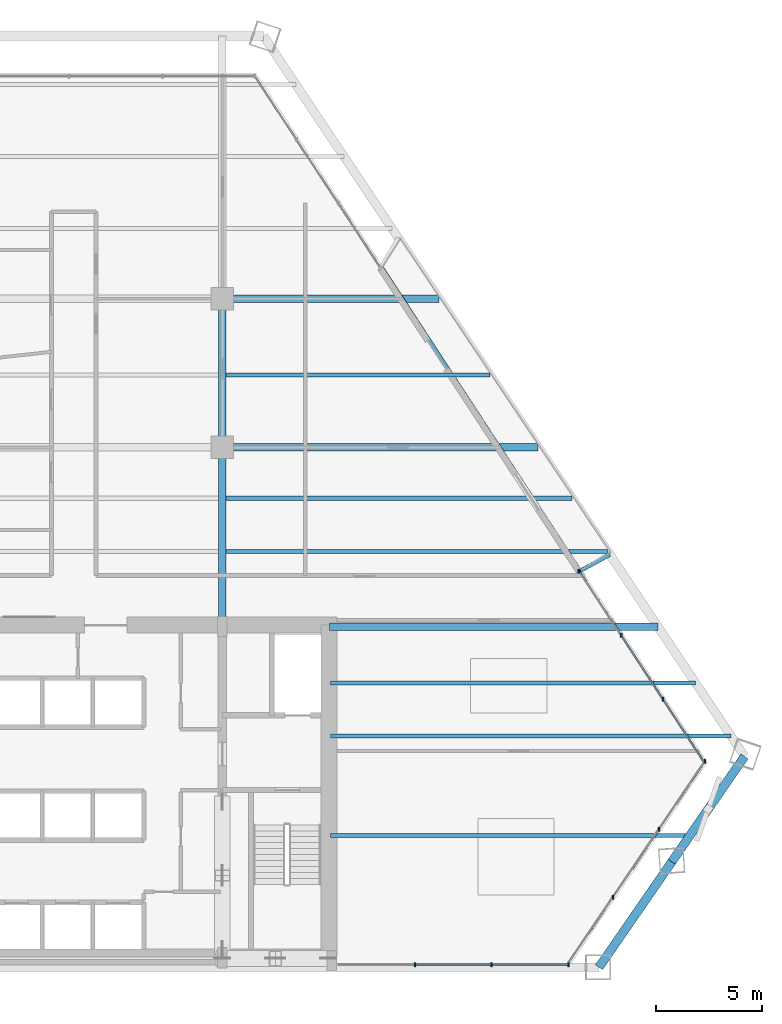
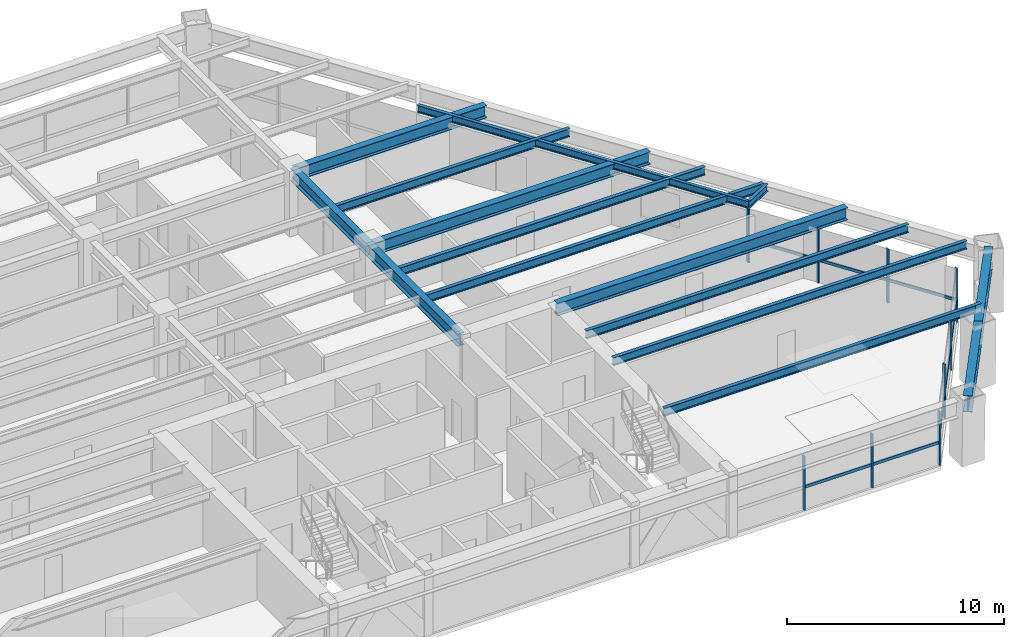
# One storey, part 6 of 14: 18 members, 15 beams, 3 elements without a shape of their own.
"""IFC4 building model written with IfcOpenShell, lengths in metres."""

from ifc_helpers import new_model, si_unit, direction, frame, origin, origin_2d, place, context, subcontext, project, spatial, rectangle, i_section, extrude, source, transform, mapped, material, material_profile, profile_set, type_object, type_shapes, element, aggregate, save


model = new_model("IFC4")

# Units and contexts
model_context = context("Model", 3, precision=1e-05, world=origin(), true_north=direction((0.0, 1.0)))
body_context = subcontext(model_context, "Body", "Model", "MODEL_VIEW")
ifc_project = project(units=[si_unit("LENGTHUNIT", "METRE"), si_unit("AREAUNIT", "SQUARE_METRE"), si_unit("VOLUMEUNIT", "CUBIC_METRE"), si_unit("PLANEANGLEUNIT", "RADIAN"), si_unit("MASSUNIT", "GRAM", prefix="KILO")], contexts=[model_context])

# Site, building, storey
site_placement = place(None, origin())
site = spatial("IfcSite", under=ifc_project, at=site_placement, CompositionType="ELEMENT")
building_placement = place(site_placement, origin())
building = spatial("IfcBuilding", under=site, at=building_placement, Name="Varnakhor Terracotta Tower", CompositionType="ELEMENT")
storey_placement = place(building_placement, frame((0.0, 0.0, 76.60009765625)))
storey = spatial("IfcBuildingStorey", under=building, at=storey_placement, Name="L18", CompositionType="ELEMENT", Elevation=76.60009765625)

# Beams
ifc_material_1 = material(Name="Steel S355", Category="steel")
ifc_material_profile_1 = material_profile(ifc_material_1, i_section(OverallWidth=0.35498046875, OverallDepth=0.695068359375, WebThickness=0.014892578125, FlangeThickness=0.02490234375, FilletRadius=0.01806640625, at=origin_2d()), Name="W27X146")
ifc_profile_set_1 = profile_set([ifc_material_profile_1], Name="Steel S355")
beam_type_1 = type_object("IfcBeamType", Name="BM-W27X146", PredefinedType="BEAM", material=ifc_profile_set_1)
shared_shape_1 = source(origin(), body_context, "Body", "SweptSolid", [
    extrude(i_section(OverallWidth=0.35498046875, OverallDepth=0.695068359375, WebThickness=0.014892578125, FlangeThickness=0.02490234375, FilletRadius=0.01806640625, at=origin_2d()), origin(), (0.0, 0.0, 1.0), 8.449951171875),
])
type_shapes(beam_type_1, [shared_shape_1])
beam_1_placement = place(storey_placement, frame((5.5, 16.050048828125, 3.102294921875), z_axis=(0.0, 1.0, 0.0), x_axis=(-1.0, 0.0, 0.0)))
element("IfcBeam", 1, at=beam_1_placement, inside=storey, type_object=beam_type_1, Name="L18 Primary Girder NS1-E", PredefinedType="BEAM", context=body_context, shape_type="MappedRepresentation", body=[
    mapped(shared_shape_1, transform((0.0, 0.0, 0.0), scale=1.0)),
])
shared_shape_2 = source(origin(), body_context, "Body", "SweptSolid", [
    extrude(i_section(OverallWidth=0.35498046875, OverallDepth=0.695068359375, WebThickness=0.014892578125, FlangeThickness=0.02490234375, FilletRadius=0.01806640625, at=origin_2d()), origin(), (0.0, 0.0, 1.0), 7.0),
])
beam_2_placement = place(storey_placement, frame((5.5, 24.5, 3.102294921875), z_axis=(0.0, 1.0, 0.0), x_axis=(-1.0, 0.0, 0.0)))
element("IfcBeam", 2, at=beam_2_placement, inside=storey, type_object=beam_type_1, Name="L18 Primary Girder NS2-E", PredefinedType="BEAM", context=body_context, shape_type="MappedRepresentation", body=[
    mapped(shared_shape_2, transform((0.0, 0.0, 0.0), scale=1.0)),
])
ifc_material_profile_2 = material_profile(ifc_material_1, i_section(OverallWidth=0.41796875, OverallDepth=0.927001953125, WebThickness=0.01904296875, FlangeThickness=0.031982421875, FilletRadius=0.01806640625, at=origin_2d()), Name="W36X231")
ifc_profile_set_2 = profile_set([ifc_material_profile_2], Name="Steel S355")
beam_type_2 = type_object("IfcBeamType", Name="BM-W36X231", PredefinedType="BEAM", material=ifc_profile_set_2)
shared_shape_3 = source(origin(), body_context, "Body", "SweptSolid", [
    extrude(i_section(OverallWidth=0.41796875, OverallDepth=0.927001953125, WebThickness=0.01904296875, FlangeThickness=0.031982421875, FilletRadius=0.01806640625, at=origin_2d()), origin(), (0.0, 0.0, 1.0), 6.0380859375),
])
beam_3_placement = place(storey_placement, frame((23.2490234375, 0.0, 2.986328125), z_axis=(0.568175071214, 0.822907703483, 0.0), x_axis=(-0.822907703483, 0.568175071214, 0.0)))
element("IfcBeam", 3, at=beam_3_placement, inside=storey, type_object=beam_type_2, Name="L18 Perimeter Spandrel 2", PredefinedType="BEAM", context=body_context, shape_type="MappedRepresentation", body=[
    mapped(shared_shape_3, transform((0.0, 0.0, 0.0), scale=1.0)),
])
shared_shape_4 = source(origin(), body_context, "Body", "SweptSolid", [
    extrude(i_section(OverallWidth=0.41796875, OverallDepth=0.927001953125, WebThickness=0.01904296875, FlangeThickness=0.031982421875, FilletRadius=0.01806640625, at=origin_2d()), origin(), (0.0, 0.0, 1.0), 6.037841796875),
])
beam_4_placement = place(storey_placement, frame((26.6796875, 4.96875, 2.986328125), z_axis=(0.56814768946, 0.82292660849, 0.0), x_axis=(-0.82292660849, 0.56814768946, 0.0)))
element("IfcBeam", 4, at=beam_4_placement, inside=storey, type_object=beam_type_2, Name="L18 Perimeter Spandrel 3", PredefinedType="BEAM", context=body_context, shape_type="MappedRepresentation", body=[
    mapped(shared_shape_4, transform((0.0, 0.0, 0.0), scale=1.0)),
])
ifc_material_profile_3 = material_profile(ifc_material_1, i_section(OverallWidth=0.179931640625, OverallDepth=0.39990234375, WebThickness=0.008544921875, FlangeThickness=0.013427734375, FilletRadius=0.01806640625, at=origin_2d()), Name="IPE400")
ifc_profile_set_3 = profile_set([ifc_material_profile_3], Name="Steel S355")
beam_type_3 = type_object("IfcBeamType", Name="JST-IPE400", PredefinedType="JOIST", material=ifc_profile_set_3)
shared_shape_5 = source(origin(), body_context, "Body", "SweptSolid", [
    extrude(i_section(OverallWidth=0.179931640625, OverallDepth=0.39990234375, WebThickness=0.008544921875, FlangeThickness=0.013427734375, FilletRadius=0.01806640625, at=origin_2d()), origin(), (0.0, 0.0, 1.0), 17.12646484375),
])
beam_5_placement = place(storey_placement, frame((22.35400390625, 18.6669921875, 3.25), z_axis=(-0.546869455486, 0.837217891983, 0.0), x_axis=(-0.837217891983, -0.546869455486, 0.0)))
element("IfcBeam", 5, at=beam_5_placement, inside=storey, type_object=beam_type_3, Name="L18 Loggia Edge Beam 1", PredefinedType="JOIST", context=body_context, shape_type="MappedRepresentation", body=[
    mapped(shared_shape_5, transform((0.0, 0.0, 0.0), scale=1.0)),
])
shared_shape_6 = source(origin(), body_context, "Body", "SweptSolid", [
    extrude(i_section(OverallWidth=0.35498046875, OverallDepth=0.695068359375, WebThickness=0.014892578125, FlangeThickness=0.02490234375, FilletRadius=0.01806640625, at=origin_2d()), origin(), (0.0, 0.0, 1.0), 15.4775390625),
])
beam_6_placement = place(storey_placement, frame((10.550048828125, 16.050048828125, 3.102294921875), z_axis=(1.0, 0.0, 0.0), x_axis=(0.0, 1.0, 0.0)))
element("IfcBeam", 6, at=beam_6_placement, inside=storey, type_object=beam_type_1, Name="L18 Wing Girder E", PredefinedType="BEAM", context=body_context, shape_type="MappedRepresentation", body=[
    mapped(shared_shape_6, transform((0.0, 0.0, 0.0), scale=1.0)),
])
shared_shape_7 = source(origin(), body_context, "Body", "SweptSolid", [
    extrude(i_section(OverallWidth=0.35498046875, OverallDepth=0.695068359375, WebThickness=0.014892578125, FlangeThickness=0.02490234375, FilletRadius=0.01806640625, at=origin_2d()), origin(), (0.0, 0.0, 1.0), 14.883544921875),
])
beam_7_placement = place(storey_placement, frame((5.5, 24.5, 3.102294921875), z_axis=(1.0, 0.0, 0.0), x_axis=(0.0, 1.0, 0.0)))
element("IfcBeam", 7, at=beam_7_placement, inside=storey, type_object=beam_type_1, Name="L18 Primary Girder EW2-3", PredefinedType="BEAM", context=body_context, shape_type="MappedRepresentation", body=[
    mapped(shared_shape_7, transform((0.0, 0.0, 0.0), scale=1.0)),
])
shared_shape_8 = source(origin(), body_context, "Body", "SweptSolid", [
    extrude(i_section(OverallWidth=0.35498046875, OverallDepth=0.695068359375, WebThickness=0.014892578125, FlangeThickness=0.02490234375, FilletRadius=0.01806640625, at=origin_2d()), origin(), (0.0, 0.0, 1.0), 10.208251953125),
])
beam_8_placement = place(storey_placement, frame((5.5, 31.5, 3.102294921875), z_axis=(1.0, 0.0, 0.0), x_axis=(0.0, 1.0, 0.0)))
element("IfcBeam", 8, at=beam_8_placement, inside=storey, type_object=beam_type_1, Name="L18 Primary Girder EW3-3", PredefinedType="BEAM", context=body_context, shape_type="MappedRepresentation", body=[
    mapped(shared_shape_8, transform((0.0, 0.0, 0.0), scale=1.0)),
])
ifc_material_profile_4 = material_profile(ifc_material_1, i_section(OverallWidth=0.19189453125, OverallDepth=0.462890625, WebThickness=0.010498046875, FlangeThickness=0.017578125, FilletRadius=0.01806640625, at=origin_2d()), Name="W18X60")
ifc_profile_set_4 = profile_set([ifc_material_profile_4], Name="Steel S355")
beam_type_4 = type_object("IfcBeamType", Name="JST-W18X60", PredefinedType="JOIST", material=ifc_profile_set_4)
shared_shape_9 = source(origin(), body_context, "Body", "SweptSolid", [
    extrude(i_section(OverallWidth=0.19189453125, OverallDepth=0.462890625, WebThickness=0.010498046875, FlangeThickness=0.017578125, FilletRadius=0.01806640625, at=origin_2d()), origin(), (0.0, 0.0, 1.0), 16.9296875),
])
beam_9_placement = place(storey_placement, frame((10.60009765625, 6.199951171875, 3.218505859375), z_axis=(1.0, 0.0, 0.0), x_axis=(0.0, 1.0, 0.0)))
element("IfcBeam", 9, at=beam_9_placement, inside=storey, type_object=beam_type_4, Name="L18 Floor Joist E1", PredefinedType="JOIST", context=body_context, shape_type="MappedRepresentation", body=[
    mapped(shared_shape_9, transform((0.0, 0.0, 0.0), scale=1.0)),
])
shared_shape_10 = source(origin(), body_context, "Body", "SweptSolid", [
    extrude(i_section(OverallWidth=0.19189453125, OverallDepth=0.462890625, WebThickness=0.010498046875, FlangeThickness=0.017578125, FilletRadius=0.01806640625, at=origin_2d()), origin(), (0.0, 0.0, 1.0), 18.8671875),
])
beam_10_placement = place(storey_placement, frame((10.60009765625, 10.89990234375, 3.218505859375), z_axis=(1.0, 0.0, 0.0), x_axis=(0.0, 1.0, 0.0)))
element("IfcBeam", 10, at=beam_10_placement, inside=storey, type_object=beam_type_4, Name="L18 Floor Joist E2", PredefinedType="JOIST", context=body_context, shape_type="MappedRepresentation", body=[
    mapped(shared_shape_10, transform((0.0, 0.0, 0.0), scale=1.0)),
])
shared_shape_11 = source(origin(), body_context, "Body", "SweptSolid", [
    extrude(i_section(OverallWidth=0.19189453125, OverallDepth=0.462890625, WebThickness=0.010498046875, FlangeThickness=0.017578125, FilletRadius=0.01806640625, at=origin_2d()), origin(), (0.0, 0.0, 1.0), 17.197509765625),
])
beam_11_placement = place(storey_placement, frame((10.60009765625, 13.39990234375, 3.218505859375), z_axis=(1.0, 0.0, 0.0), x_axis=(0.0, 1.0, 0.0)))
element("IfcBeam", 11, at=beam_11_placement, inside=storey, type_object=beam_type_4, Name="L18 Floor Joist E3", PredefinedType="JOIST", context=body_context, shape_type="MappedRepresentation", body=[
    mapped(shared_shape_11, transform((0.0, 0.0, 0.0), scale=1.0)),
])
shared_shape_12 = source(origin(), body_context, "Body", "SweptSolid", [
    extrude(i_section(OverallWidth=0.19189453125, OverallDepth=0.462890625, WebThickness=0.010498046875, FlangeThickness=0.017578125, FilletRadius=0.01806640625, at=origin_2d()), origin(), (0.0, 0.0, 1.0), 17.98291015625),
])
beam_12_placement = place(storey_placement, frame((5.673583984375, 19.60009765625, 3.218505859375), z_axis=(1.0, 0.0, 0.0), x_axis=(0.0, 1.0, 0.0)))
element("IfcBeam", 12, at=beam_12_placement, inside=storey, type_object=beam_type_4, Name="L18 Composite Floor Joist 4-3", PredefinedType="JOIST", context=body_context, shape_type="MappedRepresentation", body=[
    mapped(shared_shape_12, transform((0.0, 0.0, 0.0), scale=1.0)),
])
shared_shape_13 = source(origin(), body_context, "Body", "SweptSolid", [
    extrude(i_section(OverallWidth=0.19189453125, OverallDepth=0.462890625, WebThickness=0.010498046875, FlangeThickness=0.017578125, FilletRadius=0.01806640625, at=origin_2d()), origin(), (0.0, 0.0, 1.0), 16.31298828125),
])
beam_13_placement = place(storey_placement, frame((5.673583984375, 22.10009765625, 3.218505859375), z_axis=(1.0, 0.0, 0.0), x_axis=(0.0, 1.0, 0.0)))
element("IfcBeam", 13, at=beam_13_placement, inside=storey, type_object=beam_type_4, Name="L18 Composite Floor Joist 5-3", PredefinedType="JOIST", context=body_context, shape_type="MappedRepresentation", body=[
    mapped(shared_shape_13, transform((0.0, 0.0, 0.0), scale=1.0)),
])
shared_shape_14 = source(origin(), body_context, "Body", "SweptSolid", [
    extrude(i_section(OverallWidth=0.19189453125, OverallDepth=0.462890625, WebThickness=0.010498046875, FlangeThickness=0.017578125, FilletRadius=0.01806640625, at=origin_2d()), origin(), (0.0, 0.0, 1.0), 12.439208984375),
])
beam_14_placement = place(storey_placement, frame((5.673583984375, 27.89990234375, 3.218505859375), z_axis=(1.0, 0.0, 0.0), x_axis=(0.0, 1.0, 0.0)))
element("IfcBeam", 14, at=beam_14_placement, inside=storey, type_object=beam_type_4, Name="L18 Composite Floor Joist 6-3", PredefinedType="JOIST", context=body_context, shape_type="MappedRepresentation", body=[
    mapped(shared_shape_14, transform((0.0, 0.0, 0.0), scale=1.0)),
])

# Curtain wall, members
ifc_material_2 = material(Name="Anodised Aluminium Curtain Wall System", Category="aluminium")
curtain_wall_type = type_object("IfcCurtainWallType", Name="CW-SYS-LOW-OFFICE", PredefinedType="NOTDEFINED", material=ifc_material_2)
curtain_wall_1_placement = place(storey_placement, origin())
curtain_wall_1 = element("IfcCurtainWall", 15, at=curtain_wall_1_placement, inside=storey, type_object=curtain_wall_type, Name="L18 E Facet Curtain Wall 2", PredefinedType="NOTDEFINED")
ifc_material_3 = material(Name="Anodised Aluminium 6063-T6", Category="aluminium")
ifc_material_profile_5 = material_profile(ifc_material_3, rectangle(XDim=0.074951171875, YDim=0.18505859375, at=origin_2d()), Name="ALU MULLION 75x185")
ifc_profile_set_5 = profile_set([ifc_material_profile_5], Name="Anodised Aluminium 6063-T6")
member_type_1 = type_object("IfcMemberType", Name="CWM-02", PredefinedType="MULLION", material=ifc_profile_set_5)
shared_shape_15 = source(origin(), body_context, "Body", "SweptSolid", [
    extrude(rectangle(XDim=0.074951171875, YDim=0.18505859375, at=origin_2d()), origin(), (0.0, 0.0, 1.0), 3.02978515625),
])
member_1_placement = place(storey_placement, frame((22.325439453125, 18.652587890625, 0.0), z_axis=(0.0, 0.0, 1.0), x_axis=(1.0, 0.0, 0.0)))
member_1 = element("IfcMember", 16, at=member_1_placement, type_object=member_type_1, Name="L18 E Facet Curtain Wall 2 Mullion 1", PredefinedType="MULLION", context=body_context, shape_type="MappedRepresentation", body=[
    mapped(shared_shape_15, transform((0.0, 0.0, 0.0), scale=1.0)),
])
member_2_placement = place(storey_placement, frame((24.297607421875, 15.64111328125, 0.0), z_axis=(0.0, 0.0, 1.0), x_axis=(1.0, 0.0, 0.0)))
member_2 = element("IfcMember", 17, at=member_2_placement, type_object=member_type_1, Name="L18 E Facet Curtain Wall 2 Mullion 2", PredefinedType="MULLION", context=body_context, shape_type="MappedRepresentation", body=[
    mapped(shared_shape_15, transform((0.0, 0.0, 0.0), scale=1.0)),
])
member_3_placement = place(storey_placement, frame((26.27001953125, 12.62939453125, 0.0), z_axis=(0.0, 0.0, 1.0), x_axis=(1.0, 0.0, 0.0)))
member_3 = element("IfcMember", 18, at=member_3_placement, type_object=member_type_1, Name="L18 E Facet Curtain Wall 2 Mullion 3", PredefinedType="MULLION", context=body_context, shape_type="MappedRepresentation", body=[
    mapped(shared_shape_15, transform((0.0, 0.0, 0.0), scale=1.0)),
])
member_4_placement = place(storey_placement, frame((22.292236328125, 18.666748046875, 0.0), z_axis=(0.0, 0.0, 1.0), x_axis=(1.0, 0.0, 0.0)))
member_4 = element("IfcMember", 19, at=member_4_placement, type_object=member_type_1, Name="L18 E Loggia Jamb Closure Mullion 2", PredefinedType="MULLION", context=body_context, shape_type="MappedRepresentation", body=[
    mapped(shared_shape_15, transform((0.0, 0.0, 0.0), scale=1.0)),
])

curtain_wall_2_placement = place(storey_placement, origin())
curtain_wall_2 = element("IfcCurtainWall", 20, at=curtain_wall_2_placement, inside=storey, type_object=curtain_wall_type, Name="L18 Facet Curtain Wall 4", PredefinedType="NOTDEFINED")
member_5_placement = place(storey_placement, frame((28.242919921875, 9.700927734375, 0.0), z_axis=(0.0, 0.0, 1.0), x_axis=(1.0, 0.0, 0.0)))
member_5 = element("IfcMember", 21, at=member_5_placement, type_object=member_type_1, Name="L18 Facet Curtain Wall 4 Mullion 1", PredefinedType="MULLION", context=body_context, shape_type="MappedRepresentation", body=[
    mapped(shared_shape_15, transform((0.0, 0.0, 0.0), scale=1.0)),
])
member_6_placement = place(storey_placement, frame((26.072998046875, 6.498046875, 0.0), z_axis=(0.0, 0.0, 1.0), x_axis=(1.0, 0.0, 0.0)))
member_6 = element("IfcMember", 22, at=member_6_placement, type_object=member_type_1, Name="L18 Facet Curtain Wall 4 Mullion 2", PredefinedType="MULLION", context=body_context, shape_type="MappedRepresentation", body=[
    mapped(shared_shape_15, transform((0.0, 0.0, 0.0), scale=1.0)),
])
member_7_placement = place(storey_placement, frame((23.9033203125, 3.295166015625, 0.0), z_axis=(0.0, 0.0, 1.0), x_axis=(1.0, 0.0, 0.0)))
member_7 = element("IfcMember", 23, at=member_7_placement, type_object=member_type_1, Name="L18 Facet Curtain Wall 4 Mullion 3", PredefinedType="MULLION", context=body_context, shape_type="MappedRepresentation", body=[
    mapped(shared_shape_15, transform((0.0, 0.0, 0.0), scale=1.0)),
])

curtain_wall_3_placement = place(storey_placement, origin())
curtain_wall_3 = element("IfcCurtainWall", 24, at=curtain_wall_3_placement, inside=storey, type_object=curtain_wall_type, Name="L18 South Wing Curtain Wall SSE", PredefinedType="NOTDEFINED")
member_8_placement = place(storey_placement, frame((21.805908203125, 0.1201171875, 0.0), z_axis=(0.0, 0.0, 1.0), x_axis=(1.0, 0.0, 0.0)))
member_8 = element("IfcMember", 25, at=member_8_placement, type_object=member_type_1, Name="L18 South Wing Curtain Wall SSE Mullion 1", PredefinedType="MULLION", context=body_context, shape_type="MappedRepresentation", body=[
    mapped(shared_shape_15, transform((0.0, 0.0, 0.0), scale=1.0)),
])
member_9_placement = place(storey_placement, frame((18.19384765625, 0.1201171875, 0.0), z_axis=(0.0, 0.0, 1.0), x_axis=(1.0, 0.0, 0.0)))
member_9 = element("IfcMember", 26, at=member_9_placement, type_object=member_type_1, Name="L18 South Wing Curtain Wall SSE Mullion 2", PredefinedType="MULLION", context=body_context, shape_type="MappedRepresentation", body=[
    mapped(shared_shape_15, transform((0.0, 0.0, 0.0), scale=1.0)),
])
member_10_placement = place(storey_placement, frame((14.581787109375, 0.1201171875, 0.0), z_axis=(0.0, 0.0, 1.0), x_axis=(1.0, 0.0, 0.0)))
member_10 = element("IfcMember", 27, at=member_10_placement, type_object=member_type_1, Name="L18 South Wing Curtain Wall SSE Mullion 3", PredefinedType="MULLION", context=body_context, shape_type="MappedRepresentation", body=[
    mapped(shared_shape_15, transform((0.0, 0.0, 0.0), scale=1.0)),
])
ifc_material_profile_6 = material_profile(ifc_material_3, rectangle(XDim=0.074951171875, YDim=0.1650390625, at=origin_2d()), Name="ALU TRANSOM 75x165")
ifc_profile_set_6 = profile_set([ifc_material_profile_6], Name="Anodised Aluminium 6063-T6")
member_type_2 = type_object("IfcMemberType", Name="CWT-02", PredefinedType="USERDEFINED", material=ifc_profile_set_6)
shared_shape_16 = source(origin(), body_context, "Body", "SweptSolid", [
    extrude(rectangle(XDim=0.074951171875, YDim=0.1650390625, at=origin_2d()), origin(), (0.0, 0.0, 1.0), 3.612060546875),
])
member_11_placement = place(storey_placement, frame((21.805908203125, 0.1201171875, 1.2724609375), z_axis=(-1.0, 0.0, 0.0), x_axis=(0.0, -1.0, 0.0)))
member_11 = element("IfcMember", 28, at=member_11_placement, type_object=member_type_2, Name="L18 South Wing Curtain Wall SSE Transom 1", ObjectType="TRANSOM", PredefinedType="USERDEFINED", context=body_context, shape_type="MappedRepresentation", body=[
    mapped(shared_shape_16, transform((0.0, 0.0, 0.0), scale=1.0)),
])
member_12_placement = place(storey_placement, frame((18.19384765625, 0.1201171875, 1.2724609375), z_axis=(-1.0, 0.0, 0.0), x_axis=(0.0, -1.0, 0.0)))
member_12 = element("IfcMember", 29, at=member_12_placement, type_object=member_type_2, Name="L18 South Wing Curtain Wall SSE Transom 2", ObjectType="TRANSOM", PredefinedType="USERDEFINED", context=body_context, shape_type="MappedRepresentation", body=[
    mapped(shared_shape_16, transform((0.0, 0.0, 0.0), scale=1.0)),
])
aggregate(curtain_wall_3, [member_8, member_11, member_9, member_12, member_10])

# Member
shared_shape_17 = source(origin(), body_context, "Body", "SweptSolid", [
    extrude(rectangle(XDim=0.074951171875, YDim=0.1650390625, at=origin_2d()), origin(), (0.0, 0.0, 1.0), 3.60009765625),
])
member_13_placement = place(storey_placement, frame((24.297607421875, 15.64111328125, 1.2724609375), z_axis=(0.547874088548, -0.836560806575, 0.0), x_axis=(0.836560806575, 0.547874088548, 0.0)))
member_13 = element("IfcMember", 30, at=member_13_placement, type_object=member_type_2, Name="L18 E Facet Curtain Wall 2 Transom 2", ObjectType="TRANSOM", PredefinedType="USERDEFINED", context=body_context, shape_type="MappedRepresentation", body=[
    mapped(shared_shape_17, transform((0.0, 0.0, 0.0), scale=1.0)),
])

shared_shape_18 = source(origin(), body_context, "Body", "SweptSolid", [
    extrude(rectangle(XDim=0.074951171875, YDim=0.1650390625, at=origin_2d()), origin(), (0.0, 0.0, 1.0), 3.599853515625),
])
member_14_placement = place(storey_placement, frame((22.325439453125, 18.652587890625, 1.2724609375), z_axis=(0.54785770941, -0.836571533247, 0.0), x_axis=(0.836571533247, 0.54785770941, 0.0)))
member_14 = element("IfcMember", 31, at=member_14_placement, type_object=member_type_2, Name="L18 E Facet Curtain Wall 2 Transom 1", ObjectType="TRANSOM", PredefinedType="USERDEFINED", context=body_context, shape_type="MappedRepresentation", body=[
    mapped(shared_shape_18, transform((0.0, 0.0, 0.0), scale=1.0)),
])

member_15_placement = place(storey_placement, frame((26.27001953125, 12.62939453125, 1.2724609375), z_axis=(0.54785770941, -0.836571533247, 0.0), x_axis=(0.836571533247, 0.54785770941, 0.0)))
member_15 = element("IfcMember", 32, at=member_15_placement, type_object=member_type_2, Name="L18 E Facet Curtain Wall 2 Transom 3", ObjectType="TRANSOM", PredefinedType="USERDEFINED", context=body_context, shape_type="MappedRepresentation", body=[
    mapped(shared_shape_18, transform((0.0, 0.0, 0.0), scale=1.0)),
])

aggregate(curtain_wall_1, [member_1, member_14, member_2, member_13, member_3, member_15, member_4])

shared_shape_19 = source(origin(), body_context, "Body", "SweptSolid", [
    extrude(rectangle(XDim=0.074951171875, YDim=0.1650390625, at=origin_2d()), origin(), (0.0, 0.0, 1.0), 3.86865234375),
])
member_16_placement = place(storey_placement, frame((28.242919921875, 9.700927734375, 1.2724609375), z_axis=(-0.560888609938, -0.827891277428, 0.0), x_axis=(0.827891277428, -0.560888609938, 0.0)))
member_16 = element("IfcMember", 33, at=member_16_placement, type_object=member_type_2, Name="L18 Facet Curtain Wall 4 Transom 1", ObjectType="TRANSOM", PredefinedType="USERDEFINED", context=body_context, shape_type="MappedRepresentation", body=[
    mapped(shared_shape_19, transform((0.0, 0.0, 0.0), scale=1.0)),
])

member_17_placement = place(storey_placement, frame((26.072998046875, 6.498046875, 1.2724609375), z_axis=(-0.560845354348, -0.827920581038, 0.0), x_axis=(0.827920581038, -0.560845354348, 0.0)))
member_17 = element("IfcMember", 34, at=member_17_placement, type_object=member_type_2, Name="L18 Facet Curtain Wall 4 Transom 2", ObjectType="TRANSOM", PredefinedType="USERDEFINED", context=body_context, shape_type="MappedRepresentation", body=[
    mapped(shared_shape_19, transform((0.0, 0.0, 0.0), scale=1.0)),
])

shared_shape_20 = source(origin(), body_context, "Body", "SweptSolid", [
    extrude(rectangle(XDim=0.074951171875, YDim=0.1650390625, at=origin_2d()), origin(), (0.0, 0.0, 1.0), 3.868896484375),
])
member_18_placement = place(storey_placement, frame((23.9033203125, 3.295166015625, 1.2724609375), z_axis=(-0.560859307415, -0.827911128857, 0.0), x_axis=(0.827911128857, -0.560859307415, 0.0)))
member_18 = element("IfcMember", 35, at=member_18_placement, type_object=member_type_2, Name="L18 Facet Curtain Wall 4 Transom 3", ObjectType="TRANSOM", PredefinedType="USERDEFINED", context=body_context, shape_type="MappedRepresentation", body=[
    mapped(shared_shape_20, transform((0.0, 0.0, 0.0), scale=1.0)),
])

aggregate(curtain_wall_2, [member_5, member_16, member_6, member_17, member_7, member_18])

# Beam
shared_shape_21 = source(origin(), body_context, "Body", "SweptSolid", [
    extrude(i_section(OverallWidth=0.179931640625, OverallDepth=0.39990234375, WebThickness=0.008544921875, FlangeThickness=0.013427734375, FilletRadius=0.01806640625, at=origin_2d()), origin(), (0.0, 0.0, 1.0), 1.607421875),
])
beam_15_placement = place(storey_placement, frame((22.35400390625, 18.6669921875, 3.25), z_axis=(0.87696521816, 0.480553853526, 0.0), x_axis=(-0.480553853526, 0.87696521816, 0.0)))
element("IfcBeam", 36, at=beam_15_placement, inside=storey, type_object=beam_type_3, Name="L19 E Loggia Tie Beam 2", PredefinedType="JOIST", context=body_context, shape_type="MappedRepresentation", body=[
    mapped(shared_shape_21, transform((0.0, 0.0, 0.0), scale=1.0)),
])

save(model, "model.ifc")
